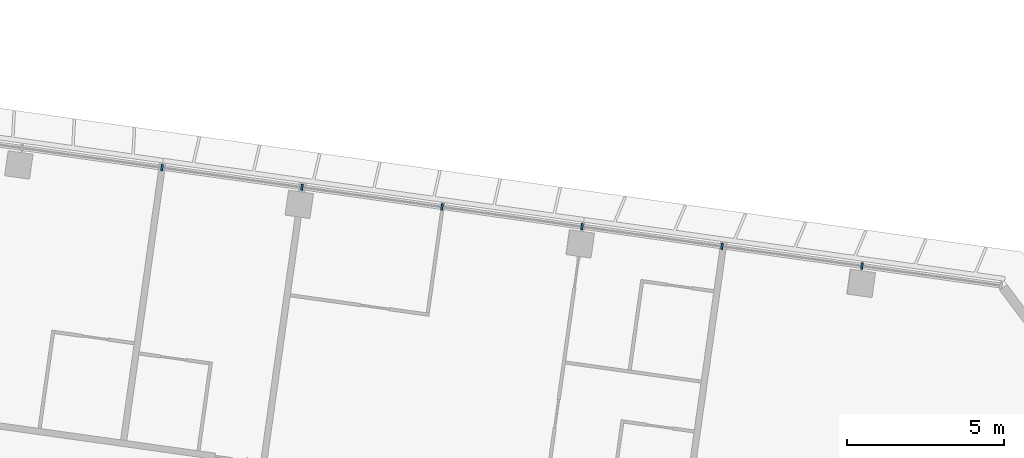
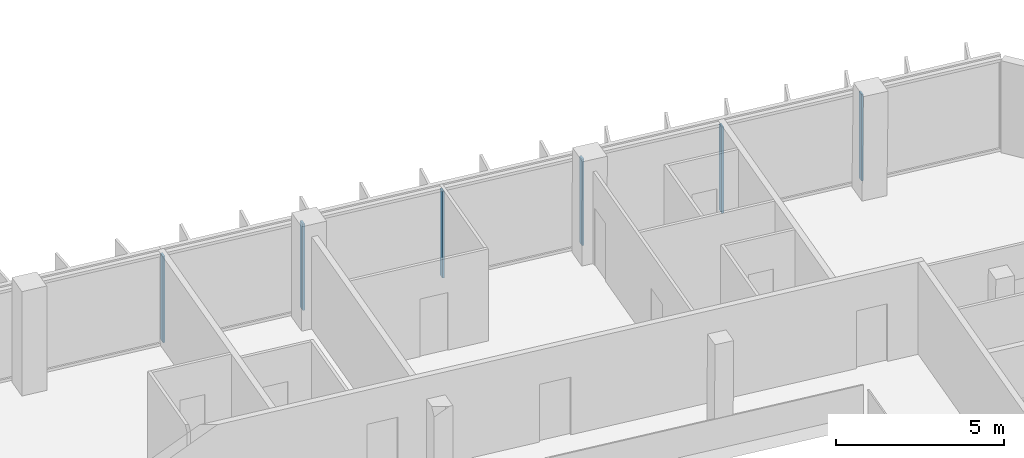
# One storey, part 6 of 31: 6 members, 1 element without a shape of its own.
"""IFC4 building model written with IfcOpenShell, lengths in metres."""

from ifc_helpers import new_model, si_unit, direction, frame, origin, origin_2d, place, context, subcontext, project, spatial, rectangle, extrude, material, material_profile, profile_set, type_object, element, aggregate, save


model = new_model("IFC4")

# Units and contexts
model_context = context("Model", 3, precision=1e-05, world=origin(), true_north=direction((0.0, 1.0)))
body_context = subcontext(model_context, "Body", "Model", "MODEL_VIEW")
ifc_project = project(units=[si_unit("LENGTHUNIT", "METRE"), si_unit("AREAUNIT", "SQUARE_METRE"), si_unit("VOLUMEUNIT", "CUBIC_METRE"), si_unit("PLANEANGLEUNIT", "RADIAN"), si_unit("MASSUNIT", "GRAM", prefix="KILO")], contexts=[model_context])

# Site, building, storey
site_placement = place(None, origin())
site = spatial("IfcSite", under=ifc_project, at=site_placement, CompositionType="ELEMENT")
building_placement = place(site_placement, origin())
building = spatial("IfcBuilding", under=site, at=building_placement, Name="Mirante Cascada Hotel Towers", CompositionType="ELEMENT")
storey_placement = place(building_placement, frame((0.0, 0.0, 157.4)))
storey = spatial("IfcBuildingStorey", under=building, at=storey_placement, Name="L36", CompositionType="ELEMENT", Elevation=157.4)

# Curtain wall, members
ifc_material_1 = material(Name="Aluminium mullion and transom frame with clear laminated glass", Category="aluminium")
curtain_wall_type = type_object("IfcCurtainWallType", Name="Ribbon curtain wall ECW1", PredefinedType="NOTDEFINED", material=ifc_material_1)
curtain_wall_placement = place(storey_placement, origin())
curtain_wall = element("IfcCurtainWall", 1, at=curtain_wall_placement, inside=storey, type_object=curtain_wall_type, Name="Front ribbon wall T1 L36", PredefinedType="NOTDEFINED")
ifc_material_2 = material(Name="Anodised aluminium extrusion", Category="aluminium")
ifc_material_profile = material_profile(ifc_material_2, rectangle(XDim=0.2, YDim=0.065, at=origin_2d()), Name="ECW1 MULLION 65x200")
ifc_profile_set = profile_set([ifc_material_profile], Name="Anodised aluminium extrusion")
member_type = type_object("IfcMemberType", Name="ECW1 mullion 65x200", PredefinedType="MULLION", material=ifc_profile_set)
member_1_placement = place(storey_placement, frame((-58.5523, 21.048, 0.1), z_axis=(0.0, 0.0, 1.0), x_axis=(0.1391731, 0.9902681, 0.0)))
member_1 = element("IfcMember", 2, at=member_1_placement, type_object=member_type, Name="ECW1 mullion 7", PredefinedType="MULLION", context=body_context, shape_type="SweptSolid", body=[
    extrude(rectangle(XDim=0.2, YDim=0.065, at=origin_2d()), origin(), (0.0, 0.0, 1.0), 3.15),
])
member_2_placement = place(storey_placement, frame((-54.1034, 20.4228, 0.1), z_axis=(0.0, 0.0, 1.0), x_axis=(0.1391731, 0.9902681, 0.0)))
member_2 = element("IfcMember", 3, at=member_2_placement, type_object=member_type, Name="ECW1 mullion 8", PredefinedType="MULLION", context=body_context, shape_type="SweptSolid", body=[
    extrude(rectangle(XDim=0.2, YDim=0.065, at=origin_2d()), origin(), (0.0, 0.0, 1.0), 3.15),
])
member_3_placement = place(storey_placement, frame((-49.6545, 19.7975, 0.1), z_axis=(0.0, 0.0, 1.0), x_axis=(0.1391731, 0.9902681, 0.0)))
member_3 = element("IfcMember", 4, at=member_3_placement, type_object=member_type, Name="ECW1 mullion 9", PredefinedType="MULLION", context=body_context, shape_type="SweptSolid", body=[
    extrude(rectangle(XDim=0.2, YDim=0.065, at=origin_2d()), origin(), (0.0, 0.0, 1.0), 3.15),
])
member_4_placement = place(storey_placement, frame((-45.2056, 19.1723, 0.1), z_axis=(0.0, 0.0, 1.0), x_axis=(0.1391731, 0.9902681, 0.0)))
member_4 = element("IfcMember", 5, at=member_4_placement, type_object=member_type, Name="ECW1 mullion 10", PredefinedType="MULLION", context=body_context, shape_type="SweptSolid", body=[
    extrude(rectangle(XDim=0.2, YDim=0.065, at=origin_2d()), origin(), (0.0, 0.0, 1.0), 3.15),
])
member_5_placement = place(storey_placement, frame((-40.7567, 18.547, 0.1), z_axis=(0.0, 0.0, 1.0), x_axis=(0.1391731, 0.9902681, 0.0)))
member_5 = element("IfcMember", 6, at=member_5_placement, type_object=member_type, Name="ECW1 mullion 11", PredefinedType="MULLION", context=body_context, shape_type="SweptSolid", body=[
    extrude(rectangle(XDim=0.2, YDim=0.065, at=origin_2d()), origin(), (0.0, 0.0, 1.0), 3.15),
])
member_6_placement = place(storey_placement, frame((-36.3078, 17.9218, 0.1), z_axis=(0.0, 0.0, 1.0), x_axis=(0.1391731, 0.9902681, 0.0)))
member_6 = element("IfcMember", 7, at=member_6_placement, type_object=member_type, Name="ECW1 mullion 12", PredefinedType="MULLION", context=body_context, shape_type="SweptSolid", body=[
    extrude(rectangle(XDim=0.2, YDim=0.065, at=origin_2d()), origin(), (0.0, 0.0, 1.0), 3.15),
])
aggregate(curtain_wall, [member_1, member_2, member_3, member_4, member_5, member_6])

save(model, "model.ifc")
